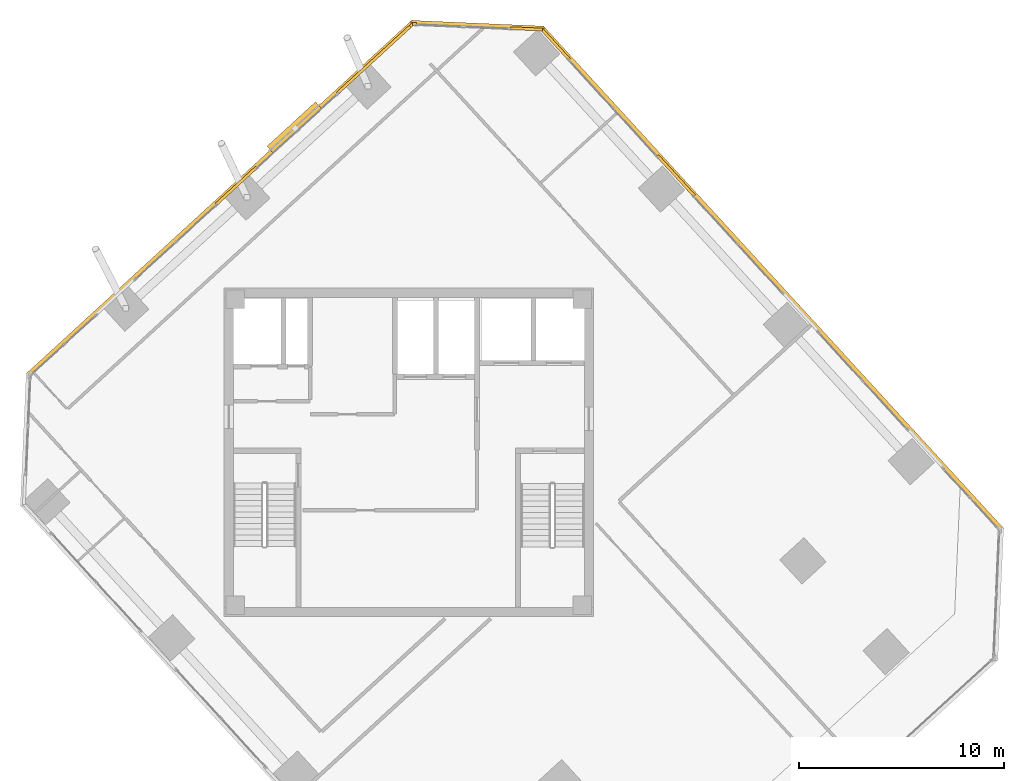
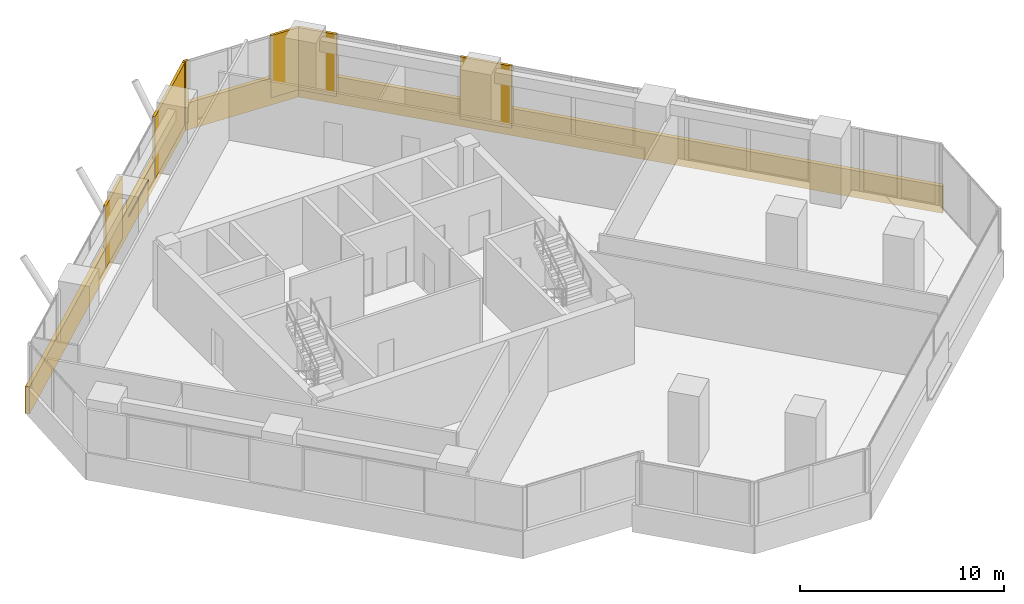
# One storey, part 16 of 16: 10 coverings, 1 shading device.
"""IFC4 building model written with IfcOpenShell, lengths in metres."""

from ifc_helpers import new_model, si_unit, direction, frame, origin, origin_2d, place, context, subcontext, project, spatial, rectangle, extrude, source, transform, mapped, material, layer, layer_set, type_object, element, save


model = new_model("IFC4")

# Units and contexts
model_context = context("Model", 3, precision=1e-05, world=origin(), true_north=direction((0.0, 1.0)))
body_context = subcontext(model_context, "Body", "Model", "MODEL_VIEW")
ifc_project = project(units=[si_unit("LENGTHUNIT", "METRE"), si_unit("AREAUNIT", "SQUARE_METRE"), si_unit("VOLUMEUNIT", "CUBIC_METRE"), si_unit("PLANEANGLEUNIT", "RADIAN"), si_unit("MASSUNIT", "GRAM", prefix="KILO")], contexts=[model_context])

# Site, building, storey
site_placement = place(None, origin())
site = spatial("IfcSite", under=ifc_project, at=site_placement, CompositionType="ELEMENT")
building_placement = place(site_placement, origin())
building = spatial("IfcBuilding", under=site, at=building_placement, Name="Torre Montelarca", CompositionType="ELEMENT")
storey_placement = place(building_placement, frame((0.0, 0.0, 262.60009765625)))
storey = spatial("IfcBuildingStorey", under=building, at=storey_placement, Name="L59", CompositionType="ELEMENT", Elevation=262.60009765625)

# Coverings
ifc_material_1 = material(Name="Bush-hammered warm white precast concrete C45/55", Category="concrete")
ifc_layer_1 = layer(ifc_material_1, 0.139892578125, Name="Bush-hammered warm white precast concrete C45/55", Category="concrete")
ifc_layer_set_1 = layer_set([ifc_layer_1], Name="Bush-hammered warm white precast concrete C45/55")
covering_type = type_object("IfcCoveringType", Name="COV-TRAY-CLAD", PredefinedType="CLADDING", material=ifc_layer_set_1)
shared_shape_1 = source(origin(), body_context, "Body", "SweptSolid", [
    extrude(rectangle(XDim=6.48388671875, YDim=0.219970703125, at=origin_2d()), origin(), (0.0, 0.0, 1.0), 1.6201171875),
])
covering_1_placement = place(storey_placement, frame((21.345703125, 52.785400390625, -0.4501953125), z_axis=(0.0, 0.0, 1.0), x_axis=(-0.99904814545, 0.043621131033, 0.0)))
element("IfcCovering", 1, at=covering_1_placement, inside=storey, type_object=covering_type, Name="L59 Architectural White Spandrel Tray Band TRYBOT-09", PredefinedType="CLADDING", context=body_context, shape_type="MappedRepresentation", body=[
    mapped(shared_shape_1, transform((0.0, 0.0, 0.0), scale=1.0)),
])
shared_shape_2 = source(origin(), body_context, "Body", "SweptSolid", [
    extrude(rectangle(XDim=25.52001953125, YDim=0.219970703125, at=origin_2d()), origin(), (0.0, 0.0, 1.0), 1.6201171875),
])
covering_2_placement = place(storey_placement, frame((8.8251953125, 44.35205078125, -0.4501953125), z_axis=(0.0, 0.0, 1.0), x_axis=(-0.737276157682, -0.675591494406, 0.0)))
element("IfcCovering", 2, at=covering_2_placement, inside=storey, type_object=covering_type, Name="L59 Architectural White Spandrel Tray Band TRYBOT-10", PredefinedType="CLADDING", context=body_context, shape_type="MappedRepresentation", body=[
    mapped(shared_shape_2, transform((0.0, 0.0, 0.0), scale=1.0)),
])

# Shading device
ifc_material_2 = material(Name="Anodised champagne bronze aluminium AA 6063-T6", Category="aluminium")
ifc_layer_2 = layer(ifc_material_2, 0.070068359375, Name="Anodised champagne bronze aluminium AA 6063-T6", Category="aluminium")
ifc_layer_set_2 = layer_set([ifc_layer_2], Name="Anodised champagne bronze aluminium AA 6063-T6")
shading_device_type = type_object("IfcShadingDeviceType", Name="SHD-SUNSHADE-1", PredefinedType="USERDEFINED", material=ifc_layer_set_2)
shared_shape_3 = source(origin(), body_context, "Body", "SweptSolid", [
    extrude(rectangle(XDim=3.199951171875, YDim=0.47998046875, at=origin_2d()), origin(), (0.0, 0.0, 1.0), 0.10009765625),
])
shading_device_placement = place(storey_placement, frame((12.43701171875, 47.81103515625, 0.56982421875), z_axis=(0.0, 0.0, 1.0), x_axis=(-0.737276157682, -0.675591494406, 0.0)))
element("IfcShadingDevice", 3, at=shading_device_placement, inside=storey, type_object=shading_device_type, Name="L59 Facade Solar Shading Device E10", ObjectType="SUNSHADE", PredefinedType="USERDEFINED", context=body_context, shape_type="MappedRepresentation", body=[
    mapped(shared_shape_3, transform((0.0, 0.0, 0.0), scale=1.0)),
])

# Coverings
shared_shape_4 = source(origin(), body_context, "Body", "SweptSolid", [
    extrude(rectangle(XDim=0.199951171875, YDim=0.139892578125, at=origin_2d()), origin(), (0.0, 0.0, 1.0), 3.719970703125),
])
for number, where, z_axis, x_axis, name in (
    (4, (18.280029296875, 52.859375, 0.0), (0.0, 0.0, 1.0), (-0.999047840893, 0.043628105704, 0.0), "L59 Architectural Column Pier Cladding E09-2"),
    (5, (18.1435546875, 52.8095703125, 0.0), (0.0, 0.0, 1.0), (-0.737276157682, -0.675591494406, 0.0), "L59 Architectural Column Pier Cladding E10-1"),
):
    element("IfcCovering", number, at=place(storey_placement, frame(where, z_axis=z_axis, x_axis=x_axis)), inside=storey, type_object=covering_type, Name=name, PredefinedType="CLADDING", context=body_context, shape_type="MappedRepresentation", body=[
        mapped(shared_shape_4, transform((0.0, 0.0, 0.0), scale=1.0)),
    ])
shared_shape_5 = source(origin(), body_context, "Body", "SweptSolid", [
    extrude(rectangle(XDim=33.219970703125, YDim=0.219970703125, at=origin_2d()), origin(), (0.0, 0.0, 1.0), 1.6201171875),
])
covering_3_placement = place(storey_placement, frame((35.68505859375, 40.454345703125, -0.4501953125), z_axis=(0.0, 0.0, 1.0), x_axis=(-0.675588920823, 0.737278515936, 0.0)))
element("IfcCovering", 6, at=covering_3_placement, inside=storey, type_object=covering_type, Name="L59 Architectural White Spandrel Tray Band TRYBOT-08", PredefinedType="CLADDING", context=body_context, shape_type="MappedRepresentation", body=[
    mapped(shared_shape_5, transform((0.0, 0.0, 0.0), scale=1.0)),
])
shared_shape_6 = source(origin(), body_context, "Body", "SweptSolid", [
    extrude(rectangle(XDim=2.01416015625, YDim=0.139892578125, at=origin_2d()), origin(), (0.0, 0.0, 1.0), 3.719970703125),
])
covering_4_placement = place(storey_placement, frame((25.15087890625, 51.86181640625, 0.0), z_axis=(0.0, 0.0, 1.0), x_axis=(-0.675588920823, 0.737278515936, 0.0)))
element("IfcCovering", 7, at=covering_4_placement, inside=storey, type_object=covering_type, Name="L59 Architectural Column Pier Cladding E08-5", PredefinedType="CLADDING", context=body_context, shape_type="MappedRepresentation", body=[
    mapped(shared_shape_6, transform((0.0, 0.0, 0.0), scale=1.0)),
])
shared_shape_7 = source(origin(), body_context, "Body", "SweptSolid", [
    extrude(rectangle(XDim=2.659912109375, YDim=0.139892578125, at=origin_2d()), origin(), (0.0, 0.0, 1.0), 3.719970703125),
])
for number, where, z_axis, x_axis, name in (
    (8, (31.012939453125, 45.464111328125, 0.0), (0.0, 0.0, 1.0), (-0.675588920823, 0.737278515936, 0.0), "L59 Architectural Column Pier Cladding E08-4"),
    (9, (9.602783203125, 44.9833984375, 0.0), (0.0, 0.0, 1.0), (-0.737276157682, -0.675591494406, 0.0), "L59 Architectural Column Pier Cladding E10-3"),
):
    element("IfcCovering", number, at=place(storey_placement, frame(where, z_axis=z_axis, x_axis=x_axis)), inside=storey, type_object=covering_type, Name=name, PredefinedType="CLADDING", context=body_context, shape_type="MappedRepresentation", body=[
        mapped(shared_shape_7, transform((0.0, 0.0, 0.0), scale=1.0)),
    ])
shared_shape_8 = source(origin(), body_context, "Body", "SweptSolid", [
    extrude(rectangle(XDim=4.914306640625, YDim=0.139892578125, at=origin_2d()), origin(), (0.0, 0.0, 1.0), 3.719970703125),
])
covering_5_placement = place(storey_placement, frame((16.33203125, 51.149658203125, 0.0), z_axis=(0.0, 0.0, 1.0), x_axis=(-0.737276157682, -0.675591494406, 0.0)))
element("IfcCovering", 10, at=covering_5_placement, inside=storey, type_object=covering_type, Name="L59 Architectural Column Pier Cladding E10-2", PredefinedType="CLADDING", context=body_context, shape_type="MappedRepresentation", body=[
    mapped(shared_shape_8, transform((0.0, 0.0, 0.0), scale=1.0)),
])
shared_shape_9 = source(origin(), body_context, "Body", "SweptSolid", [
    extrude(rectangle(XDim=1.5615234375, YDim=0.139892578125, at=origin_2d()), origin(), (0.0, 0.0, 1.0), 3.719970703125),
])
covering_6_placement = place(storey_placement, frame((23.726318359375, 52.621337890625, 0.0), z_axis=(0.0, 0.0, 1.0), x_axis=(-0.999047840893, 0.043628105704, 0.0)))
element("IfcCovering", 11, at=covering_6_placement, inside=storey, type_object=covering_type, Name="L59 Architectural Column Pier Cladding E09-1", PredefinedType="CLADDING", context=body_context, shape_type="MappedRepresentation", body=[
    mapped(shared_shape_9, transform((0.0, 0.0, 0.0), scale=1.0)),
])

save(model, "model.ifc")
